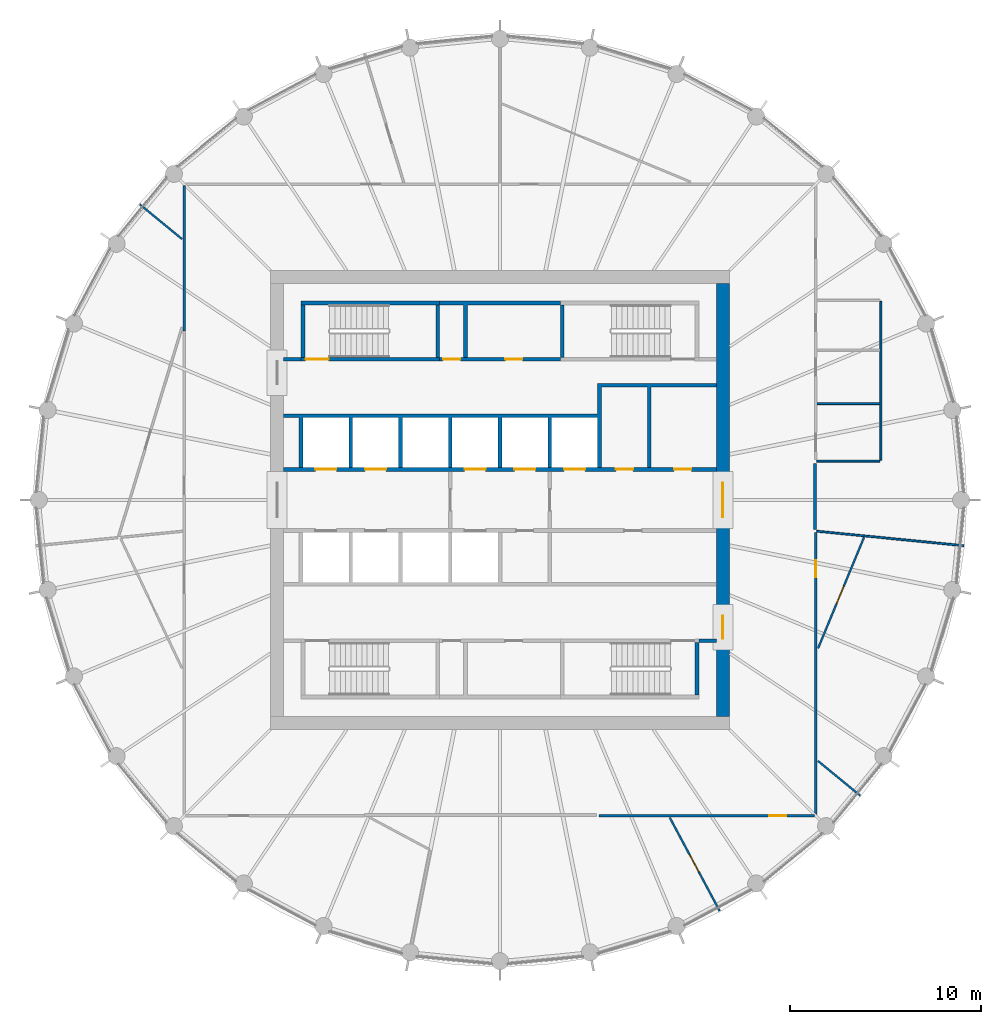
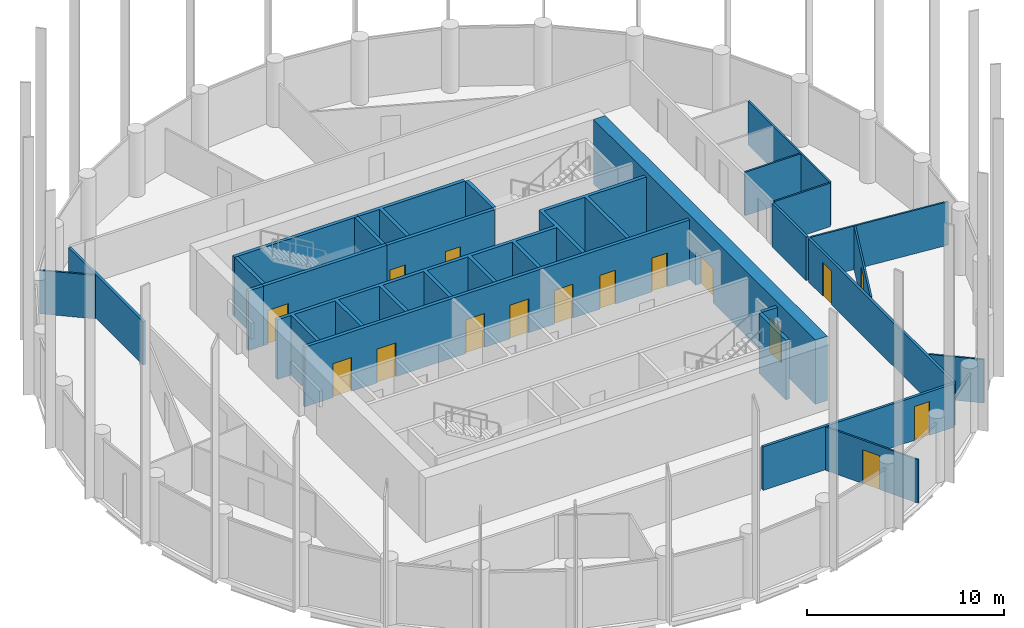
# One storey, part 5 of 7: 25 walls, 16 doors, 16 openings.
"""IFC4 building model written with IfcOpenShell, lengths in metres."""

import ifcopenshell
import ifcopenshell.guid

model = None  # the IFC model being written
_history = None  # IfcOwnerHistory: only IFC2X3 demands one
_inside = {}  # id of a spatial element -> (the spatial element, [elements in it])
_under = {}  # id of a project, library or spatial element -> (it, [spatial elements below it])
_declared = {}  # id of a project -> (the project, [libraries it declares])
_typed = {}  # id of a type object -> (the type object, [elements of that type])
_made_of = {}  # id of a material, layer set ... -> (it, [elements and type objects made of it])


def new_model(schema):
    """Start an empty IFC model of exactly this schema.

    Asked for "IFC4X3", IfcOpenShell would pick the latest addendum, in which some entities
    have other attributes; the version numbers below select the first issue.
    IFC2X3 requires an IfcOwnerHistory on every rooted entity: one is made here for all.
    """
    global model, _history
    if schema == "IFC4X3":
        model = ifcopenshell.file(schema_version=(4, 3, 0, 0))
    else:
        model = ifcopenshell.file(schema=schema)
    _inside.clear()
    _under.clear()
    _declared.clear()
    _typed.clear()
    _made_of.clear()
    _history = None
    if model.schema == "IFC2X3":
        org = make("IfcOrganization", Name="unknown")
        user = make(
            "IfcPersonAndOrganization",
            ThePerson=make("IfcPerson", FamilyName="unknown"),
            TheOrganization=org,
        )
        app = make(
            "IfcApplication",
            ApplicationDeveloper=org,
            Version="unknown",
            ApplicationFullName="unknown",
            ApplicationIdentifier="unknown",
        )
        _history = make(
            "IfcOwnerHistory",
            OwningUser=user,
            OwningApplication=app,
            ChangeAction="ADDED",
            CreationDate=0,
        )
    return model


def make(cls, **values):
    """One entity of the class cls with the attributes given. An attribute that is None is left unset."""
    return model.create_entity(
        cls, **{name: value for name, value in values.items() if value is not None}
    )


def rooted(cls, **values):
    """An entity with a GlobalId (a new one), such as an element, a storey or a relation."""
    return make(cls, GlobalId=ifcopenshell.guid.new(), OwnerHistory=_history, **values)


def si_unit(unit_type, name, prefix=None):
    """IfcSIUnit, for example si_unit("LENGTHUNIT", "METRE", prefix="MILLI")."""
    return make("IfcSIUnit", UnitType=unit_type, Prefix=prefix, Name=name)


def assignment(units):
    """IfcUnitAssignment: the units of a project."""
    return None if units is None else make("IfcUnitAssignment", Units=units)


def point(xyz):
    """IfcCartesianPoint."""
    return None if xyz is None else make("IfcCartesianPoint", Coordinates=xyz)


def direction(xyz):
    """IfcDirection."""
    return None if xyz is None else make("IfcDirection", DirectionRatios=xyz)


def frame(location, z_axis=None, x_axis=None):
    """IfcAxis2Placement3D, a coordinate frame: its origin and axes. An axis left out is left unset."""
    return make(
        "IfcAxis2Placement3D",
        Location=point(location),
        Axis=direction(z_axis),
        RefDirection=direction(x_axis),
    )


def frame_2d(location, x_axis=None):
    """IfcAxis2Placement2D, a coordinate frame in the plane: its origin and x axis."""
    return make(
        "IfcAxis2Placement2D", Location=point(location), RefDirection=direction(x_axis)
    )


def origin():
    """The frame at (0, 0, 0) with its axes left unset."""
    return frame((0.0, 0.0, 0.0))


def place(relative_to, where):
    """IfcLocalPlacement: puts the frame where relative to a parent placement (None: the world)."""
    return make(
        "IfcLocalPlacement", PlacementRelTo=relative_to, RelativePlacement=where
    )


def context(
    kind, dimensions, precision=None, world=None, true_north=None, identifier=None
):
    """IfcGeometricRepresentationContext, for example the 3D "Model" context."""
    return make(
        "IfcGeometricRepresentationContext",
        ContextIdentifier=identifier,
        ContextType=kind,
        CoordinateSpaceDimension=dimensions,
        Precision=precision,
        WorldCoordinateSystem=world,
        TrueNorth=true_north,
    )


def subcontext(parent, identifier, kind, view, scale=None):
    """IfcGeometricRepresentationSubContext, for example "Body" below "Model"."""
    return make(
        "IfcGeometricRepresentationSubContext",
        ContextIdentifier=identifier,
        ContextType=kind,
        ParentContext=parent,
        TargetScale=scale,
        TargetView=view,
    )


def project(units=None, contexts=None):
    """IfcProject with its units and contexts."""
    return rooted(
        "IfcProject",
        Name="project",
        RepresentationContexts=contexts,
        UnitsInContext=assignment(units),
    )


def spatial(cls, under=None, at=None, **own):
    """A site, building, storey or space (cls), placed at a placement, below another one or the project."""
    s = rooted(cls, ObjectPlacement=at, **own)
    if under is not None:
        _under.setdefault(under.id(), (under, []))[1].append(s)
    return s


def polyline(points):
    """IfcPolyline through the points."""
    return make("IfcPolyline", Points=[point(p) for p in points])


def profile(cls, at=None, kind="AREA", **sizes):
    """A parametric profile (cls). Its sizes go by their IFC names, for example OverallWidth=200.0."""
    return make(cls, ProfileType=kind, Position=at, **sizes)


def rectangle(**sizes):
    """IfcRectangleProfileDef."""
    return profile("IfcRectangleProfileDef", **sizes)


def outline(outer, holes=None, kind="AREA"):
    """IfcArbitraryClosedProfileDef: a profile drawn as a closed curve; with holes, ...WithVoids."""
    if holes is None:
        return make("IfcArbitraryClosedProfileDef", ProfileType=kind, OuterCurve=outer)
    return make(
        "IfcArbitraryProfileDefWithVoids",
        ProfileType=kind,
        OuterCurve=outer,
        InnerCurves=holes,
    )


def extrude(swept, where, along, depth):
    """IfcExtrudedAreaSolid: the profile swept, set in the frame where, extruded along a direction by depth."""
    return make(
        "IfcExtrudedAreaSolid",
        SweptArea=swept,
        Position=where,
        ExtrudedDirection=direction(along),
        Depth=depth,
    )


def shape(context_of_items, identifier, shape_type, items):
    """IfcShapeRepresentation: the items that make up one representation, for example the "Body"."""
    return make(
        "IfcShapeRepresentation",
        ContextOfItems=context_of_items,
        RepresentationIdentifier=identifier,
        RepresentationType=shape_type,
        Items=items,
    )


def material(Name=None, Category=None):
    """IfcMaterial."""
    return make("IfcMaterial", Name=Name, Category=Category)


def layer(
    of_material, thickness, ventilated=None, Name=None, Category=None, Priority=None
):
    """IfcMaterialLayer: one layer of a wall or slab, of a material (None: an air gap)."""
    return make(
        "IfcMaterialLayer",
        Material=of_material,
        LayerThickness=thickness,
        IsVentilated=ventilated,
        Name=Name,
        Category=Category,
        Priority=Priority,
    )


def layer_set(layers, Name=None):
    """IfcMaterialLayerSet."""
    return make("IfcMaterialLayerSet", MaterialLayers=layers, LayerSetName=Name)


def made_of(thing, what):
    """Note that an element or type object is made of a material, layer set ...; save() writes the relation."""
    if what is not None:
        _made_of.setdefault(what.id(), (what, []))[1].append(thing)
    return thing


def type_object(cls, material=None, **own):
    """A type object (cls), such as IfcWallType, which elements share."""
    return made_of(rooted(cls, **own), material)


def element(
    cls,
    number,
    at=None,
    inside=None,
    cuts=None,
    type_object=None,
    material=None,
    context=None,
    identifier="Body",
    shape_type=None,
    held_by="IfcProductDefinitionShape",
    body=None,
    shapes=None,
    **own,
):
    """One element of the class cls, such as IfcWall. Its Tag is "e" and its number.

    at: its placement. inside: the storey or other place that contains it. cuts: it is an
    opening in that element (IfcRelVoidsElement). A single representation is given by context,
    identifier, shape_type and body (its items); several are given by shapes. held_by: the class
    of the entity that holds the representations. save() writes the other relations.
    """
    e = rooted(cls, Tag="e%d" % number, ObjectPlacement=at, **own)
    if body is not None:
        shapes = [shape(context, identifier, shape_type, body)]
    if shapes is not None:
        e.Representation = make(held_by, Representations=shapes)
    if inside is not None:
        _inside.setdefault(inside.id(), (inside, []))[1].append(e)
    if cuts is not None:
        rooted(
            "IfcRelVoidsElement", RelatingBuildingElement=cuts, RelatedOpeningElement=e
        )
    if type_object is not None:
        _typed.setdefault(type_object.id(), (type_object, []))[1].append(e)
    return made_of(e, material)


def fill(opening, filler):
    """IfcRelFillsElement: the door or window that sits in an opening."""
    return rooted(
        "IfcRelFillsElement",
        RelatingOpeningElement=opening,
        RelatedBuildingElement=filler,
    )


def aggregate(whole, parts):
    """IfcRelAggregates: a whole, such as a stair, and the parts it consists of."""
    return rooted("IfcRelAggregates", RelatingObject=whole, RelatedObjects=parts)


def save(model, path):
    """Write the relations noted so far, then the file.

    IfcRelAggregates (storeys below a building ...), IfcRelContainedInSpatialStructure (elements
    in a storey), IfcRelDefinesByType, IfcRelAssociatesMaterial and IfcRelDeclares: one each for
    every whole, place, type object, material and project.
    """
    for whole, parts in _under.values():
        aggregate(whole, parts)
    for where, things in _inside.values():
        rooted(
            "IfcRelContainedInSpatialStructure",
            RelatedElements=things,
            RelatingStructure=where,
        )
    for kind, things in _typed.values():
        rooted("IfcRelDefinesByType", RelatedObjects=things, RelatingType=kind)
    for what, things in _made_of.values():
        rooted("IfcRelAssociatesMaterial", RelatedObjects=things, RelatingMaterial=what)
    for by, libraries in _declared.values():
        rooted("IfcRelDeclares", RelatingContext=by, RelatedDefinitions=libraries)
    model.write(path)


model = new_model("IFC4")

# Units and contexts
model_context = context("Model", 3, precision=1e-05, world=origin(), true_north=direction((0.0, 1.0)))
body_context = subcontext(model_context, "Body", "Model", "MODEL_VIEW")
ifc_project = project(units=[si_unit("LENGTHUNIT", "METRE"), si_unit("AREAUNIT", "SQUARE_METRE"), si_unit("VOLUMEUNIT", "CUBIC_METRE"), si_unit("PLANEANGLEUNIT", "RADIAN"), si_unit("MASSUNIT", "GRAM", prefix="KILO")], contexts=[model_context])

# Site, building, storey
site_placement = place(None, origin())
site = spatial("IfcSite", under=ifc_project, at=site_placement, CompositionType="ELEMENT")
building_placement = place(site_placement, origin())
building = spatial("IfcBuilding", under=site, at=building_placement, Name="Corvane Civic Tower", CompositionType="ELEMENT")
storey_placement = place(building_placement, frame((0.0, 0.0, 279.0)))
storey = spatial("IfcBuildingStorey", under=building, at=storey_placement, Name="L66", CompositionType="ELEMENT", Elevation=279.0)

# Wall, openings, doors
ifc_material_1 = material(Name="Concrete C40/50", Category="concrete")
ifc_layer_1 = layer(ifc_material_1, 0.699951171875)
ifc_layer_set_1 = layer_set([ifc_layer_1], Name="Concrete C40/50")
wall_type_1 = type_object("IfcWallType", Name="CORE WALL 700 C40/50", PredefinedType="SHEAR", material=ifc_layer_set_1)
wall_1_placement = place(storey_placement, frame((11.64990234375, -11.300048828125, 0.0), z_axis=(0.0, 0.0, 1.0), x_axis=(0.0, 1.0, 0.0)))
wall_1 = element("IfcWall", 1, at=wall_1_placement, inside=storey, type_object=wall_type_1, Name="W-L66-core-E", PredefinedType="SHEAR", context=body_context, shape_type="SweptSolid", body=[
    extrude(rectangle(XDim=22.60009765625, YDim=0.699951171875, at=frame_2d((11.300048828125, 0.0))), origin(), (0.0, 0.0, 1.0), 4.0),
])
opening_1_placement = place(wall_1_placement, frame((10.39990234375, 0.0, 0.0)))
opening_1 = element("IfcOpeningElement", 2, at=opening_1_placement, cuts=wall_1, Name="Opening L66.C16", PredefinedType="OPENING", context=body_context, shape_type="SweptSolid", body=[
    extrude(rectangle(XDim=1.800048828125, YDim=2.10009765625, at=frame_2d((0.89990234375, 1.050048828125))), frame((0.0, 0.35986328125, 0.0), z_axis=(0.0, -1.0, 0.0), x_axis=(1.0, 0.0, 0.0)), (0.0, 0.0, 1.0), 0.719970703125),
])
opening_2_placement = place(wall_1_placement, frame((4.050048828125, 0.0, 0.0)))
opening_2 = element("IfcOpeningElement", 3, at=opening_2_placement, cuts=wall_1, Name="Opening L66.C18", PredefinedType="OPENING", context=body_context, shape_type="SweptSolid", body=[
    extrude(rectangle(XDim=1.199951171875, YDim=2.10009765625, at=frame_2d((0.60009765625, 1.050048828125))), frame((0.0, 0.35986328125, 0.0), z_axis=(0.0, -1.0, 0.0), x_axis=(1.0, 0.0, 0.0)), (0.0, 0.0, 1.0), 0.719970703125),
])
ifc_material_2 = material(Name="Steel fire door leaf", Category="steel")
door_type_1 = type_object("IfcDoorType", Name="CR-DOOR-CORE-1800", OperationType="DOUBLE_DOOR_SINGLE_SWING", PredefinedType="DOOR", material=ifc_material_2)
door_1_placement = place(opening_1_placement, origin())
door_1 = element("IfcDoor", 4, at=door_1_placement, inside=storey, type_object=door_type_1, Name="L66 door", OperationType="DOUBLE_DOOR_SINGLE_SWING", OverallHeight=2.10009765625, OverallWidth=1.800048828125, PredefinedType="DOOR", context=body_context, shape_type="SweptSolid", body=[
    extrude(rectangle(XDim=1.800048828125, YDim=2.10009765625, at=frame_2d((0.89990234375, 1.050048828125))), frame((0.0, 0.02490234375, 0.0), z_axis=(0.0, -1.0, 0.0), x_axis=(1.0, 0.0, 0.0)), (0.0, 0.0, 1.0), 0.050048828125),
])
fill(opening_1, door_1)
door_2_placement = place(opening_2_placement, origin())
door_2 = element("IfcDoor", 5, at=door_2_placement, inside=storey, type_object=door_type_1, Name="L66 door", OperationType="DOUBLE_DOOR_SINGLE_SWING", OverallHeight=2.10009765625, OverallWidth=1.199951171875, PredefinedType="DOOR", context=body_context, shape_type="SweptSolid", body=[
    extrude(rectangle(XDim=1.199951171875, YDim=2.10009765625, at=frame_2d((0.60009765625, 1.050048828125))), frame((0.0, 0.02490234375, 0.0), z_axis=(0.0, -1.0, 0.0), x_axis=(1.0, 0.0, 0.0)), (0.0, 0.0, 1.0), 0.050048828125),
])
fill(opening_2, door_2)

ifc_material_3 = material(Name="Concrete C30/37", Category="concrete")
ifc_layer_2 = layer(ifc_material_3, 0.199951171875)
ifc_layer_set_2 = layer_set([ifc_layer_2], Name="Concrete C30/37")
wall_type_2 = type_object("IfcWallType", Name="CR-WALL-200", PredefinedType="PARTITIONING", material=ifc_layer_set_2)
wall_2_placement = place(storey_placement, frame((-11.300048828125, 1.60009765625, 0.0), z_axis=(0.0, 0.0, 1.0), x_axis=(1.0, 0.0, 0.0)))
wall_2 = element("IfcWall", 6, at=wall_2_placement, inside=storey, type_object=wall_type_2, Name="L66 lift shaft wall", PredefinedType="PARTITIONING", context=body_context, shape_type="SweptSolid", body=[
    extrude(rectangle(XDim=22.60009765625, YDim=0.199951171875, at=frame_2d((11.300048828125, 0.0))), origin(), (0.0, 0.0, 1.0), 3.699951171875),
])
opening_3_placement = place(wall_2_placement, frame((1.64990234375, 0.0, 0.0)))
opening_3 = element("IfcOpeningElement", 7, at=opening_3_placement, cuts=wall_2, Name="Opening LD", PredefinedType="OPENING", context=body_context, shape_type="SweptSolid", body=[
    extrude(rectangle(XDim=1.10009765625, YDim=2.10009765625, at=frame_2d((0.550048828125, 1.050048828125))), frame((0.0, 0.10986328125, 0.0), z_axis=(0.0, -1.0, 0.0), x_axis=(1.0, 0.0, 0.0)), (0.0, 0.0, 1.0), 0.219970703125),
])
opening_4_placement = place(wall_2_placement, frame((4.25, 0.0, 0.0)))
opening_4 = element("IfcOpeningElement", 8, at=opening_4_placement, cuts=wall_2, Name="Opening LD", PredefinedType="OPENING", context=body_context, shape_type="SweptSolid", body=[
    extrude(rectangle(XDim=1.10009765625, YDim=2.10009765625, at=frame_2d((0.550048828125, 1.050048828125))), frame((0.0, 0.10986328125, 0.0), z_axis=(0.0, -1.0, 0.0), x_axis=(1.0, 0.0, 0.0)), (0.0, 0.0, 1.0), 0.219970703125),
])
opening_5_placement = place(wall_2_placement, frame((9.449951171875, 0.0, 0.0)))
opening_5 = element("IfcOpeningElement", 9, at=opening_5_placement, cuts=wall_2, Name="Opening LD", PredefinedType="OPENING", context=body_context, shape_type="SweptSolid", body=[
    extrude(rectangle(XDim=1.10009765625, YDim=2.10009765625, at=frame_2d((0.550048828125, 1.050048828125))), frame((0.0, 0.10986328125, 0.0), z_axis=(0.0, -1.0, 0.0), x_axis=(1.0, 0.0, 0.0)), (0.0, 0.0, 1.0), 0.219970703125),
])
opening_6_placement = place(wall_2_placement, frame((12.050048828125, 0.0, 0.0)))
opening_6 = element("IfcOpeningElement", 10, at=opening_6_placement, cuts=wall_2, Name="Opening LD", PredefinedType="OPENING", context=body_context, shape_type="SweptSolid", body=[
    extrude(rectangle(XDim=1.10009765625, YDim=2.10009765625, at=frame_2d((0.550048828125, 1.050048828125))), frame((0.0, 0.10986328125, 0.0), z_axis=(0.0, -1.0, 0.0), x_axis=(1.0, 0.0, 0.0)), (0.0, 0.0, 1.0), 0.219970703125),
])
opening_7_placement = place(wall_2_placement, frame((14.64990234375, 0.0, 0.0)))
opening_7 = element("IfcOpeningElement", 11, at=opening_7_placement, cuts=wall_2, Name="Opening LD", PredefinedType="OPENING", context=body_context, shape_type="SweptSolid", body=[
    extrude(rectangle(XDim=1.10009765625, YDim=2.10009765625, at=frame_2d((0.550048828125, 1.050048828125))), frame((0.0, 0.10986328125, 0.0), z_axis=(0.0, -1.0, 0.0), x_axis=(1.0, 0.0, 0.0)), (0.0, 0.0, 1.0), 0.219970703125),
])
opening_8_placement = place(wall_2_placement, frame((17.35009765625, 0.0, 0.0)))
opening_8 = element("IfcOpeningElement", 12, at=opening_8_placement, cuts=wall_2, Name="Opening L66.C01", PredefinedType="OPENING", context=body_context, shape_type="SweptSolid", body=[
    extrude(rectangle(XDim=0.89990234375, YDim=2.10009765625, at=frame_2d((0.449951171875, 1.050048828125))), frame((0.0, 0.10986328125, 0.0), z_axis=(0.0, -1.0, 0.0), x_axis=(1.0, 0.0, 0.0)), (0.0, 0.0, 1.0), 0.219970703125),
])
opening_9_placement = place(wall_2_placement, frame((20.39990234375, 0.0, 0.0)))
opening_9 = element("IfcOpeningElement", 13, at=opening_9_placement, cuts=wall_2, Name="Opening L66.C02", PredefinedType="OPENING", context=body_context, shape_type="SweptSolid", body=[
    extrude(rectangle(XDim=0.89990234375, YDim=2.10009765625, at=frame_2d((0.449951171875, 1.050048828125))), frame((0.0, 0.10986328125, 0.0), z_axis=(0.0, -1.0, 0.0), x_axis=(1.0, 0.0, 0.0)), (0.0, 0.0, 1.0), 0.219970703125),
])
ifc_material_4 = material(Name="Steel fire door leaf", Category="steel")
door_type_2 = type_object("IfcDoorType", Name="CR-DOOR-900", OperationType="SINGLE_SWING_LEFT", PredefinedType="DOOR", material=ifc_material_4)
door_3_placement = place(opening_8_placement, origin())
door_3 = element("IfcDoor", 14, at=door_3_placement, inside=storey, type_object=door_type_2, Name="L66 door", OperationType="SINGLE_SWING_LEFT", OverallHeight=2.10009765625, OverallWidth=0.89990234375, PredefinedType="DOOR", context=body_context, shape_type="SweptSolid", body=[
    extrude(rectangle(XDim=0.89990234375, YDim=2.10009765625, at=frame_2d((0.449951171875, 1.050048828125))), frame((0.0, 0.02490234375, 0.0), z_axis=(0.0, -1.0, 0.0), x_axis=(1.0, 0.0, 0.0)), (0.0, 0.0, 1.0), 0.050048828125),
])
fill(opening_8, door_3)
door_4_placement = place(opening_9_placement, origin())
door_4 = element("IfcDoor", 15, at=door_4_placement, inside=storey, type_object=door_type_2, Name="L66 door", OperationType="SINGLE_SWING_LEFT", OverallHeight=2.10009765625, OverallWidth=0.89990234375, PredefinedType="DOOR", context=body_context, shape_type="SweptSolid", body=[
    extrude(rectangle(XDim=0.89990234375, YDim=2.10009765625, at=frame_2d((0.449951171875, 1.050048828125))), frame((0.0, 0.02490234375, 0.0), z_axis=(0.0, -1.0, 0.0), x_axis=(1.0, 0.0, 0.0)), (0.0, 0.0, 1.0), 0.050048828125),
])
fill(opening_9, door_4)
ifc_material_5 = material(Name="Stainless steel 316 door leaves", Category="steel")
door_type_3 = type_object("IfcDoorType", Name="LD", OperationType="DOUBLE_DOOR_SLIDING", PredefinedType="DOOR", material=ifc_material_5)
door_5_placement = place(opening_3_placement, origin())
door_5 = element("IfcDoor", 16, at=door_5_placement, inside=storey, type_object=door_type_3, Name="L66 landing door", OperationType="DOUBLE_DOOR_SLIDING", OverallHeight=2.10009765625, OverallWidth=1.10009765625, PredefinedType="DOOR", context=body_context, shape_type="SweptSolid", body=[
    extrude(rectangle(XDim=1.10009765625, YDim=2.10009765625, at=frame_2d((0.550048828125, 1.050048828125))), frame((0.0, 0.02490234375, 0.0), z_axis=(0.0, -1.0, 0.0), x_axis=(1.0, 0.0, 0.0)), (0.0, 0.0, 1.0), 0.050048828125),
])
fill(opening_3, door_5)
door_6_placement = place(opening_4_placement, origin())
door_6 = element("IfcDoor", 17, at=door_6_placement, inside=storey, type_object=door_type_3, Name="L66 landing door", OperationType="DOUBLE_DOOR_SLIDING", OverallHeight=2.10009765625, OverallWidth=1.10009765625, PredefinedType="DOOR", context=body_context, shape_type="SweptSolid", body=[
    extrude(rectangle(XDim=1.10009765625, YDim=2.10009765625, at=frame_2d((0.550048828125, 1.050048828125))), frame((0.0, 0.02490234375, 0.0), z_axis=(0.0, -1.0, 0.0), x_axis=(1.0, 0.0, 0.0)), (0.0, 0.0, 1.0), 0.050048828125),
])
fill(opening_4, door_6)
door_7_placement = place(opening_5_placement, origin())
door_7 = element("IfcDoor", 18, at=door_7_placement, inside=storey, type_object=door_type_3, Name="L66 landing door", OperationType="DOUBLE_DOOR_SLIDING", OverallHeight=2.10009765625, OverallWidth=1.10009765625, PredefinedType="DOOR", context=body_context, shape_type="SweptSolid", body=[
    extrude(rectangle(XDim=1.10009765625, YDim=2.10009765625, at=frame_2d((0.550048828125, 1.050048828125))), frame((0.0, 0.02490234375, 0.0), z_axis=(0.0, -1.0, 0.0), x_axis=(1.0, 0.0, 0.0)), (0.0, 0.0, 1.0), 0.050048828125),
])
fill(opening_5, door_7)
door_8_placement = place(opening_6_placement, origin())
door_8 = element("IfcDoor", 19, at=door_8_placement, inside=storey, type_object=door_type_3, Name="L66 landing door", OperationType="DOUBLE_DOOR_SLIDING", OverallHeight=2.10009765625, OverallWidth=1.10009765625, PredefinedType="DOOR", context=body_context, shape_type="SweptSolid", body=[
    extrude(rectangle(XDim=1.10009765625, YDim=2.10009765625, at=frame_2d((0.550048828125, 1.050048828125))), frame((0.0, 0.02490234375, 0.0), z_axis=(0.0, -1.0, 0.0), x_axis=(1.0, 0.0, 0.0)), (0.0, 0.0, 1.0), 0.050048828125),
])
fill(opening_6, door_8)
door_9_placement = place(opening_7_placement, origin())
door_9 = element("IfcDoor", 20, at=door_9_placement, inside=storey, type_object=door_type_3, Name="L66 landing door", OperationType="DOUBLE_DOOR_SLIDING", OverallHeight=2.10009765625, OverallWidth=1.10009765625, PredefinedType="DOOR", context=body_context, shape_type="SweptSolid", body=[
    extrude(rectangle(XDim=1.10009765625, YDim=2.10009765625, at=frame_2d((0.550048828125, 1.050048828125))), frame((0.0, 0.02490234375, 0.0), z_axis=(0.0, -1.0, 0.0), x_axis=(1.0, 0.0, 0.0)), (0.0, 0.0, 1.0), 0.050048828125),
])
fill(opening_7, door_9)

wall_3_placement = place(storey_placement, frame((-3.14990234375, 7.35009765625, 0.0), z_axis=(0.0, 0.0, 1.0), x_axis=(1.0, 0.0, 0.0)))
wall_3 = element("IfcWall", 21, at=wall_3_placement, inside=storey, type_object=wall_type_2, Name="L66 core partition wall", PredefinedType="PARTITIONING", context=body_context, shape_type="SweptSolid", body=[
    extrude(rectangle(XDim=6.2998046875, YDim=0.199951171875, at=frame_2d((3.14990234375, 0.0))), origin(), (0.0, 0.0, 1.0), 3.699951171875),
])
opening_10_placement = place(wall_3_placement, frame((0.175048828125, 0.0, 0.0)))
opening_10 = element("IfcOpeningElement", 22, at=opening_10_placement, cuts=wall_3, Name="Opening L66.C05", PredefinedType="OPENING", context=body_context, shape_type="SweptSolid", body=[
    extrude(rectangle(XDim=0.89990234375, YDim=2.10009765625, at=frame_2d((0.449951171875, 1.050048828125))), frame((0.0, 0.10986328125, 0.0), z_axis=(0.0, -1.0, 0.0), x_axis=(1.0, 0.0, 0.0)), (0.0, 0.0, 1.0), 0.219970703125),
])
opening_11_placement = place(wall_3_placement, frame((3.425048828125, 0.0, 0.0)))
opening_11 = element("IfcOpeningElement", 23, at=opening_11_placement, cuts=wall_3, Name="Opening L66.C06", PredefinedType="OPENING", context=body_context, shape_type="SweptSolid", body=[
    extrude(rectangle(XDim=0.89990234375, YDim=2.10009765625, at=frame_2d((0.449951171875, 1.050048828125))), frame((0.0, 0.10986328125, 0.0), z_axis=(0.0, -1.0, 0.0), x_axis=(1.0, 0.0, 0.0)), (0.0, 0.0, 1.0), 0.219970703125),
])
door_10_placement = place(opening_10_placement, origin())
door_10 = element("IfcDoor", 24, at=door_10_placement, inside=storey, type_object=door_type_2, Name="L66 door", OperationType="SINGLE_SWING_LEFT", OverallHeight=2.10009765625, OverallWidth=0.89990234375, PredefinedType="DOOR", context=body_context, shape_type="SweptSolid", body=[
    extrude(rectangle(XDim=0.89990234375, YDim=2.10009765625, at=frame_2d((0.449951171875, 1.050048828125))), frame((0.0, 0.02490234375, 0.0), z_axis=(0.0, -1.0, 0.0), x_axis=(1.0, 0.0, 0.0)), (0.0, 0.0, 1.0), 0.050048828125),
])
fill(opening_10, door_10)
door_11_placement = place(opening_11_placement, origin())
door_11 = element("IfcDoor", 25, at=door_11_placement, inside=storey, type_object=door_type_2, Name="L66 door", OperationType="SINGLE_SWING_LEFT", OverallHeight=2.10009765625, OverallWidth=0.89990234375, PredefinedType="DOOR", context=body_context, shape_type="SweptSolid", body=[
    extrude(rectangle(XDim=0.89990234375, YDim=2.10009765625, at=frame_2d((0.449951171875, 1.050048828125))), frame((0.0, 0.02490234375, 0.0), z_axis=(0.0, -1.0, 0.0), x_axis=(1.0, 0.0, 0.0)), (0.0, 0.0, 1.0), 0.050048828125),
])
fill(opening_11, door_11)

# Walls
wall_4_placement = place(storey_placement, origin())
element("IfcWall", 26, at=wall_4_placement, inside=storey, type_object=wall_type_2, Name="L66 core partition wall", PredefinedType="PARTITIONING", context=body_context, shape_type="SweptSolid", body=[
    extrude(outline(polyline([(-10.39990234375, 7.25), (-11.300048828125, 7.25), (-11.300048828125, 7.449951171875), (-10.39990234375, 7.449951171875), (-10.39990234375, 7.25)])), origin(), (0.0, 0.0, 1.0), 3.699951171875),
])
wall_5_placement = place(storey_placement, origin())
element("IfcWall", 27, at=wall_5_placement, inside=storey, type_object=wall_type_2, Name="L66 core partition wall", PredefinedType="PARTITIONING", context=body_context, shape_type="SweptSolid", body=[
    extrude(outline(polyline([(3.14990234375, 10.39990234375), (3.14990234375, 10.199951171875), (-1.699951171875, 10.199951171875), (-1.699951171875, 7.449951171875), (-1.89990234375, 7.449951171875), (-1.89990234375, 10.199951171875), (-3.14990234375, 10.199951171875), (-3.14990234375, 10.39990234375), (3.14990234375, 10.39990234375)])), origin(), (0.0, 0.0, 1.0), 3.699951171875),
])
wall_6_placement = place(storey_placement, origin())
element("IfcWall", 28, at=wall_6_placement, inside=storey, type_object=wall_type_2, Name="L66 core partition wall", PredefinedType="PARTITIONING", context=body_context, shape_type="SweptSolid", body=[
    extrude(outline(polyline([(-10.5, 1.699951171875), (-10.5, 4.300048828125), (-11.300048828125, 4.300048828125), (-11.300048828125, 4.5), (5.10009765625, 4.5), (5.10009765625, 6.10009765625), (11.300048828125, 6.10009765625), (11.300048828125, 5.89990234375), (7.89990234375, 5.89990234375), (7.89990234375, 1.699951171875), (7.699951171875, 1.699951171875), (7.699951171875, 5.89990234375), (5.300048828125, 5.89990234375), (5.300048828125, 1.699951171875), (5.10009765625, 1.699951171875), (5.10009765625, 4.300048828125), (2.699951171875, 4.300048828125), (2.699951171875, 1.699951171875), (2.5, 1.699951171875), (2.5, 4.300048828125), (0.10009765625, 4.300048828125), (0.10009765625, 1.699951171875), (-0.10009765625, 1.699951171875), (-0.10009765625, 4.300048828125), (-2.5, 4.300048828125), (-2.5, 1.699951171875), (-2.699951171875, 1.699951171875), (-2.699951171875, 4.300048828125), (-5.10009765625, 4.300048828125), (-5.10009765625, 1.699951171875), (-5.300048828125, 1.699951171875), (-5.300048828125, 4.300048828125), (-7.699951171875, 4.300048828125), (-7.699951171875, 1.699951171875), (-7.89990234375, 1.699951171875), (-7.89990234375, 4.300048828125), (-10.300048828125, 4.300048828125), (-10.300048828125, 1.699951171875), (-10.5, 1.699951171875)])), origin(), (0.0, 0.0, 1.0), 3.699951171875),
])
wall_7_placement = place(storey_placement, origin())
element("IfcWall", 29, at=wall_7_placement, inside=storey, type_object=wall_type_2, Name="L66 core partition wall", PredefinedType="PARTITIONING", context=body_context, shape_type="SweptSolid", body=[
    extrude(outline(polyline([(11.300048828125, -7.449951171875), (10.39990234375, -7.449951171875), (10.39990234375, -7.25), (11.300048828125, -7.25), (11.300048828125, -7.449951171875)])), origin(), (0.0, 0.0, 1.0), 3.699951171875),
])

# Wall, opening, door
ifc_material_6 = material(Name="Plasterboard")
ifc_layer_3 = layer(ifc_material_6, 0.10009765625)
ifc_layer_set_3 = layer_set([ifc_layer_3], Name="Plasterboard")
wall_type_3 = type_object("IfcWallType", Name="Partition 100 plasterboard on studs", PredefinedType="PARTITIONING", material=ifc_layer_set_3)
wall_8_placement = place(storey_placement, frame((8.8720703125, -16.5986328125, 0.0), z_axis=(0.0, 0.0, 1.0), x_axis=(0.471385560844, -0.881927237944, 0.0)))
wall_8 = element("IfcWall", 30, at=wall_8_placement, inside=storey, type_object=wall_type_3, Name="Partition L66.002", PredefinedType="PARTITIONING", context=body_context, shape_type="SweptSolid", body=[
    extrude(rectangle(XDim=5.529296875, YDim=0.10009765625, at=frame_2d((2.7646484375, 0.0))), origin(), (0.0, 0.0, 1.0), 2.699951171875),
])
opening_12_placement = place(wall_8_placement, frame((2.219970703125, 0.0, 0.0)))
opening_12 = element("IfcOpeningElement", 31, at=opening_12_placement, cuts=wall_8, Name="Opening L66.008", PredefinedType="OPENING", context=body_context, shape_type="SweptSolid", body=[
    extrude(rectangle(XDim=1.0, YDim=2.10009765625, at=frame_2d((0.5, 1.050048828125))), frame((0.0, 0.06005859375, 0.0), z_axis=(0.0, -1.0, 0.0), x_axis=(1.0, 0.0, 0.0)), (0.0, 0.0, 1.0), 0.1201171875),
])
ifc_material_7 = material(Name="Timber", Category="wood")
door_type_4 = type_object("IfcDoorType", Name="Single door 1000", OperationType="NOTDEFINED", PredefinedType="DOOR", material=ifc_material_7)
door_12_placement = place(opening_12_placement, frame((1.0, 0.0, 0.0), z_axis=(0.0, 0.0, 1.0), x_axis=(-1.0, 0.0, 0.0)))
door_12 = element("IfcDoor", 32, at=door_12_placement, inside=storey, type_object=door_type_4, Name="Door L66.008", OperationType="SINGLE_SWING_RIGHT", OverallHeight=2.10009765625, OverallWidth=1.0, PredefinedType="DOOR", context=body_context, shape_type="SweptSolid", body=[
    extrude(rectangle(XDim=1.0, YDim=2.10009765625, at=frame_2d((0.5, 1.050048828125))), frame((0.0, 0.02490234375, 0.0), z_axis=(0.0, -1.0, 0.0), x_axis=(1.0, 0.0, 0.0)), (0.0, 0.0, 1.0), 0.050048828125),
])
fill(opening_12, door_12)

# Wall
wall_9_placement = place(storey_placement, frame((16.606689453125, -13.62890625, 0.0), z_axis=(0.0, 0.0, 1.0), x_axis=(0.773057309147, -0.634336185926, 0.0)))
element("IfcWall", 33, at=wall_9_placement, inside=storey, type_object=wall_type_3, Name="Partition L66.009", PredefinedType="PARTITIONING", context=body_context, shape_type="SweptSolid", body=[
    extrude(rectangle(XDim=2.866943359375, YDim=0.10009765625, at=frame_2d((1.43359375, 0.0))), origin(), (0.0, 0.0, 1.0), 2.699951171875),
])

# Wall, opening, door
wall_10_placement = place(storey_placement, frame((16.62109375, -7.744384765625, 0.0), z_axis=(0.0, 0.0, 1.0), x_axis=(0.382683481669, 0.923879512089, 0.0)))
wall_10 = element("IfcWall", 34, at=wall_10_placement, inside=storey, type_object=wall_type_3, Name="Partition L66.011", PredefinedType="PARTITIONING", context=body_context, shape_type="SweptSolid", body=[
    extrude(rectangle(XDim=6.283935546875, YDim=0.10009765625, at=frame_2d((3.14208984375, 0.0))), origin(), (0.0, 0.0, 1.0), 2.699951171875),
])
opening_13_placement = place(wall_10_placement, frame((2.52001953125, 0.0, 0.0)))
opening_13 = element("IfcOpeningElement", 35, at=opening_13_placement, cuts=wall_10, Name="Opening L66.005", PredefinedType="OPENING", context=body_context, shape_type="SweptSolid", body=[
    extrude(rectangle(XDim=1.0, YDim=2.10009765625, at=frame_2d((0.5, 1.050048828125))), frame((0.0, 0.06005859375, 0.0), z_axis=(0.0, -1.0, 0.0), x_axis=(1.0, 0.0, 0.0)), (0.0, 0.0, 1.0), 0.1201171875),
])
door_13_placement = place(opening_13_placement, frame((1.0, 0.0, 0.0), z_axis=(0.0, 0.0, 1.0), x_axis=(-1.0, 0.0, 0.0)))
door_13 = element("IfcDoor", 36, at=door_13_placement, inside=storey, type_object=door_type_4, Name="Door L66.005", OperationType="SINGLE_SWING_RIGHT", OverallHeight=2.10009765625, OverallWidth=1.0, PredefinedType="DOOR", context=body_context, shape_type="SweptSolid", body=[
    extrude(rectangle(XDim=1.0, YDim=2.10009765625, at=frame_2d((0.5, 1.050048828125))), frame((0.0, 0.02490234375, 0.0), z_axis=(0.0, -1.0, 0.0), x_axis=(1.0, 0.0, 0.0)), (0.0, 0.0, 1.0), 0.050048828125),
])
fill(opening_13, door_13)

# Walls
wall_11_placement = place(storey_placement, frame((16.554931640625, -1.630615234375, 0.0), z_axis=(0.0, 0.0, 1.0), x_axis=(0.995186134578, -0.098002844567, 0.0)))
element("IfcWall", 37, at=wall_11_placement, inside=storey, type_object=wall_type_3, Name="Partition L66.013", PredefinedType="PARTITIONING", context=body_context, shape_type="SweptSolid", body=[
    extrude(rectangle(XDim=7.715087890625, YDim=0.10009765625, at=frame_2d((3.857421875, 0.0))), origin(), (0.0, 0.0, 1.0), 2.699951171875),
])
wall_12_placement = place(storey_placement, frame((16.550048828125, 2.031494140625, 0.0), z_axis=(0.0, 0.0, 1.0), x_axis=(1.0, 0.0, 0.0)))
element("IfcWall", 38, at=wall_12_placement, inside=storey, type_object=wall_type_3, Name="Partition L66.017", PredefinedType="PARTITIONING", context=body_context, shape_type="SweptSolid", body=[
    extrude(rectangle(XDim=3.300048828125, YDim=0.10009765625, at=frame_2d((1.64990234375, 0.0))), origin(), (0.0, 0.0, 1.0), 2.699951171875),
])
wall_13_placement = place(storey_placement, frame((19.89990234375, 2.081298828125, 0.0), z_axis=(0.0, 0.0, 1.0), x_axis=(0.0, 1.0, 0.0)))
element("IfcWall", 39, at=wall_13_placement, inside=storey, type_object=wall_type_3, Name="Partition L66.018", PredefinedType="PARTITIONING", context=body_context, shape_type="SweptSolid", body=[
    extrude(rectangle(XDim=8.300048828125, YDim=0.10009765625, at=frame_2d((4.14990234375, 0.0))), origin(), (0.0, 0.0, 1.0), 2.699951171875),
])
wall_14_placement = place(storey_placement, frame((16.574951171875, 5.031494140625, 0.0), z_axis=(0.0, 0.0, 1.0), x_axis=(1.0, 0.0, 0.0)))
element("IfcWall", 40, at=wall_14_placement, inside=storey, type_object=wall_type_3, Name="Partition L66.020", PredefinedType="PARTITIONING", context=body_context, shape_type="SweptSolid", body=[
    extrude(rectangle(XDim=3.275146484375, YDim=0.10009765625, at=frame_2d((1.6376953125, 0.0))), origin(), (0.0, 0.0, 1.0), 2.699951171875),
])
wall_15_placement = place(storey_placement, frame((-18.822998046875, 15.447509765625, 0.0), z_axis=(0.0, 0.0, 1.0), x_axis=(0.773057309147, -0.634336185926, 0.0)))
element("IfcWall", 41, at=wall_15_placement, inside=storey, type_object=wall_type_3, Name="Partition L66.024", PredefinedType="PARTITIONING", context=body_context, shape_type="SweptSolid", body=[
    extrude(rectangle(XDim=2.866943359375, YDim=0.10009765625, at=frame_2d((1.43359375, 0.0))), origin(), (0.0, 0.0, 1.0), 2.699951171875),
])

# Wall, opening, door
ifc_material_8 = material(Name="Concrete C50/60", Category="concrete")
ifc_layer_4 = layer(ifc_material_8, 0.199951171875)
ifc_layer_set_4 = layer_set([ifc_layer_4], Name="Concrete C50/60")
wall_type_4 = type_object("IfcWallType", Name="ST-WALL-200", PredefinedType="SHEAR", material=ifc_layer_set_4)
wall_16_placement = place(storey_placement, frame((-10.39990234375, 7.35009765625, 0.0), z_axis=(0.0, 0.0, 1.0), x_axis=(1.0, 0.0, 0.0)))
wall_16 = element("IfcWall", 42, at=wall_16_placement, inside=storey, type_object=wall_type_4, Name="L66 stair enclosure wall", PredefinedType="SHEAR", context=body_context, shape_type="SweptSolid", body=[
    extrude(rectangle(XDim=7.25, YDim=0.199951171875, at=frame_2d((3.625, 0.0))), origin(), (0.0, 0.0, 1.0), 3.699951171875),
])
opening_14_placement = place(wall_16_placement, frame((0.25, 0.0, 0.0)))
opening_14 = element("IfcOpeningElement", 43, at=opening_14_placement, cuts=wall_16, Name="Opening L66.C10", PredefinedType="OPENING", context=body_context, shape_type="SweptSolid", body=[
    extrude(rectangle(XDim=1.199951171875, YDim=2.10009765625, at=frame_2d((0.60009765625, 1.050048828125))), frame((0.0, 0.10986328125, 0.0), z_axis=(0.0, -1.0, 0.0), x_axis=(1.0, 0.0, 0.0)), (0.0, 0.0, 1.0), 0.219970703125),
])
ifc_material_9 = material(Name="Steel fire door leaf", Category="steel")
door_type_5 = type_object("IfcDoorType", Name="ST-DOOR-1200", OperationType="SINGLE_SWING_RIGHT", PredefinedType="DOOR", material=ifc_material_9)
door_14_placement = place(opening_14_placement, origin())
door_14 = element("IfcDoor", 44, at=door_14_placement, inside=storey, type_object=door_type_5, Name="L66 stair door", OperationType="SINGLE_SWING_RIGHT", OverallHeight=2.10009765625, OverallWidth=1.199951171875, PredefinedType="DOOR", context=body_context, shape_type="SweptSolid", body=[
    extrude(rectangle(XDim=1.199951171875, YDim=2.10009765625, at=frame_2d((0.60009765625, 1.050048828125))), frame((0.0, 0.02490234375, 0.0), z_axis=(0.0, -1.0, 0.0), x_axis=(1.0, 0.0, 0.0)), (0.0, 0.0, 1.0), 0.050048828125),
])
fill(opening_14, door_14)

# Walls
wall_17_placement = place(storey_placement, origin())
element("IfcWall", 45, at=wall_17_placement, inside=storey, type_object=wall_type_4, Name="L66 stair enclosure wall", PredefinedType="SHEAR", context=body_context, shape_type="SweptSolid", body=[
    extrude(outline(polyline([(-3.14990234375, 10.199951171875), (-10.39990234375, 10.199951171875), (-10.39990234375, 10.39990234375), (-3.14990234375, 10.39990234375), (-3.14990234375, 10.199951171875)])), origin(), (0.0, 0.0, 1.0), 3.699951171875),
])
wall_18_placement = place(storey_placement, origin())
element("IfcWall", 46, at=wall_18_placement, inside=storey, type_object=wall_type_4, Name="L66 stair enclosure wall", PredefinedType="SHEAR", context=body_context, shape_type="SweptSolid", body=[
    extrude(outline(polyline([(-3.14990234375, 7.449951171875), (-3.35009765625, 7.449951171875), (-3.35009765625, 10.199951171875), (-3.14990234375, 10.199951171875), (-3.14990234375, 7.449951171875)])), origin(), (0.0, 0.0, 1.0), 3.699951171875),
])
wall_19_placement = place(storey_placement, origin())
element("IfcWall", 47, at=wall_19_placement, inside=storey, type_object=wall_type_4, Name="L66 stair enclosure wall", PredefinedType="SHEAR", context=body_context, shape_type="SweptSolid", body=[
    extrude(outline(polyline([(3.35009765625, 7.449951171875), (3.14990234375, 7.449951171875), (3.14990234375, 10.199951171875), (3.35009765625, 10.199951171875), (3.35009765625, 7.449951171875)])), origin(), (0.0, 0.0, 1.0), 3.699951171875),
])
wall_20_placement = place(storey_placement, origin())
element("IfcWall", 48, at=wall_20_placement, inside=storey, type_object=wall_type_4, Name="L66 stair enclosure wall", PredefinedType="SHEAR", context=body_context, shape_type="SweptSolid", body=[
    extrude(outline(polyline([(-10.199951171875, 7.449951171875), (-10.39990234375, 7.449951171875), (-10.39990234375, 10.199951171875), (-10.199951171875, 10.199951171875), (-10.199951171875, 7.449951171875)])), origin(), (0.0, 0.0, 1.0), 3.699951171875),
])
wall_21_placement = place(storey_placement, origin())
element("IfcWall", 49, at=wall_21_placement, inside=storey, type_object=wall_type_4, Name="L66 stair enclosure wall", PredefinedType="SHEAR", context=body_context, shape_type="SweptSolid", body=[
    extrude(outline(polyline([(10.39990234375, -7.449951171875), (10.39990234375, -10.199951171875), (10.199951171875, -10.199951171875), (10.199951171875, -7.449951171875), (10.39990234375, -7.449951171875)])), origin(), (0.0, 0.0, 1.0), 3.699951171875),
])

# Wall, opening, door
ifc_material_10 = material(Name="Plasterboard")
ifc_layer_5 = layer(ifc_material_10, 0.14990234375)
ifc_layer_set_5 = layer_set([ifc_layer_5], Name="Plasterboard")
wall_type_5 = type_object("IfcWallType", Name="Tenancy wall 150 EI 60", PredefinedType="PARTITIONING", material=ifc_layer_set_5)
wall_22_placement = place(storey_placement, frame((5.18505859375, -16.5, 0.0), z_axis=(0.0, 0.0, 1.0), x_axis=(1.0, 0.0, 0.0)))
wall_22 = element("IfcWall", 50, at=wall_22_placement, inside=storey, type_object=wall_type_5, Name="Partition L66.005", PredefinedType="PARTITIONING", context=body_context, shape_type="SweptSolid", body=[
    extrude(rectangle(XDim=11.239990234375, YDim=0.14990234375, at=frame_2d((5.6201171875, 0.0))), origin(), (0.0, 0.0, 1.0), 2.699951171875),
])
opening_15_placement = place(wall_22_placement, frame((8.876953125, 0.0, 0.0)))
opening_15 = element("IfcOpeningElement", 51, at=opening_15_placement, cuts=wall_22, Name="Opening L66.007", PredefinedType="OPENING", context=body_context, shape_type="SweptSolid", body=[
    extrude(rectangle(XDim=0.89990234375, YDim=2.10009765625, at=frame_2d((0.449951171875, 1.050048828125))), frame((0.0, 0.0849609375, 0.0), z_axis=(0.0, -1.0, 0.0), x_axis=(1.0, 0.0, 0.0)), (0.0, 0.0, 1.0), 0.169921875),
])
ifc_material_11 = material(Name="Steel and timber", Category="steel")
door_type_6 = type_object("IfcDoorType", Name="Fire door FD30S 900", OperationType="NOTDEFINED", PredefinedType="DOOR", material=ifc_material_11)
door_15_placement = place(opening_15_placement, frame((0.89990234375, 0.0, 0.0), z_axis=(0.0, 0.0, 1.0), x_axis=(-1.0, 0.0, 0.0)))
door_15 = element("IfcDoor", 52, at=door_15_placement, inside=storey, type_object=door_type_6, Name="Door L66.007", OperationType="SINGLE_SWING_LEFT", OverallHeight=2.10009765625, OverallWidth=0.89990234375, PredefinedType="DOOR", context=body_context, shape_type="SweptSolid", body=[
    extrude(rectangle(XDim=0.89990234375, YDim=2.10009765625, at=frame_2d((0.449951171875, 1.050048828125))), frame((0.0, 0.02490234375, 0.0), z_axis=(0.0, -1.0, 0.0), x_axis=(1.0, 0.0, 0.0)), (0.0, 0.0, 1.0), 0.050048828125),
])
fill(opening_15, door_15)

wall_23_placement = place(storey_placement, frame((16.5, -16.425048828125, 0.0), z_axis=(0.0, 0.0, 1.0), x_axis=(0.0, 1.0, 0.0)))
wall_23 = element("IfcWall", 53, at=wall_23_placement, inside=storey, type_object=wall_type_5, Name="Partition L66.008", PredefinedType="PARTITIONING", context=body_context, shape_type="SweptSolid", body=[
    extrude(rectangle(XDim=14.717041015625, YDim=0.14990234375, at=frame_2d((7.3583984375, 0.0))), origin(), (0.0, 0.0, 1.0), 2.699951171875),
])
opening_16_placement = place(wall_23_placement, frame((12.378173828125, 0.0, 0.0)))
opening_16 = element("IfcOpeningElement", 54, at=opening_16_placement, cuts=wall_23, Name="Opening L66.006", PredefinedType="OPENING", context=body_context, shape_type="SweptSolid", body=[
    extrude(rectangle(XDim=0.89990234375, YDim=2.10009765625, at=frame_2d((0.449951171875, 1.050048828125))), frame((0.0, 0.0849609375, 0.0), z_axis=(0.0, -1.0, 0.0), x_axis=(1.0, 0.0, 0.0)), (0.0, 0.0, 1.0), 0.169921875),
])
door_16_placement = place(opening_16_placement, frame((0.89990234375, 0.0, 0.0), z_axis=(0.0, 0.0, 1.0), x_axis=(-1.0, 0.0, 0.0)))
door_16 = element("IfcDoor", 55, at=door_16_placement, inside=storey, type_object=door_type_6, Name="Door L66.006", OperationType="SINGLE_SWING_LEFT", OverallHeight=2.10009765625, OverallWidth=0.89990234375, PredefinedType="DOOR", context=body_context, shape_type="SweptSolid", body=[
    extrude(rectangle(XDim=0.89990234375, YDim=2.10009765625, at=frame_2d((0.449951171875, 1.050048828125))), frame((0.0, 0.02490234375, 0.0), z_axis=(0.0, -1.0, 0.0), x_axis=(1.0, 0.0, 0.0)), (0.0, 0.0, 1.0), 0.050048828125),
])
fill(opening_16, door_16)

# Walls
wall_24_placement = place(storey_placement, frame((16.449951171875, -1.55224609375, 0.0), z_axis=(0.0, 0.0, 1.0), x_axis=(0.0, 1.0, 0.0)))
element("IfcWall", 56, at=wall_24_placement, inside=storey, type_object=wall_type_5, Name="Partition L66.016", PredefinedType="PARTITIONING", context=body_context, shape_type="SweptSolid", body=[
    extrude(rectangle(XDim=3.44921875, YDim=0.14990234375, at=frame_2d((1.724609375, 0.0))), origin(), (0.0, 0.0, 1.0), 2.699951171875),
])
wall_25_placement = place(storey_placement, frame((-16.5, 8.824462890625, 0.0), z_axis=(0.0, 0.0, 1.0), x_axis=(0.0, 1.0, 0.0)))
element("IfcWall", 57, at=wall_25_placement, inside=storey, type_object=wall_type_5, Name="Partition L66.022", PredefinedType="PARTITIONING", context=body_context, shape_type="SweptSolid", body=[
    extrude(rectangle(XDim=7.6005859375, YDim=0.14990234375, at=frame_2d((3.80029296875, 0.0))), origin(), (0.0, 0.0, 1.0), 2.699951171875),
])

save(model, "model.ifc")
